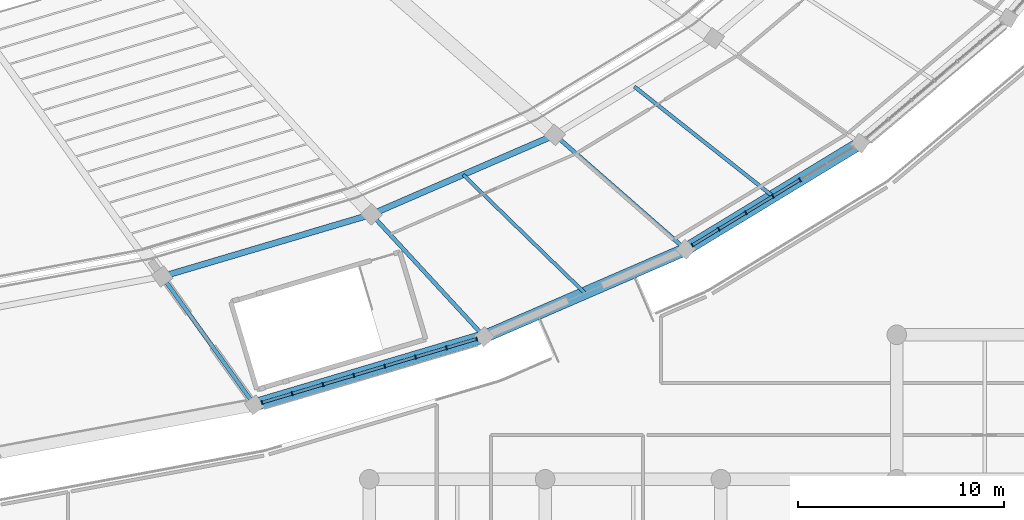
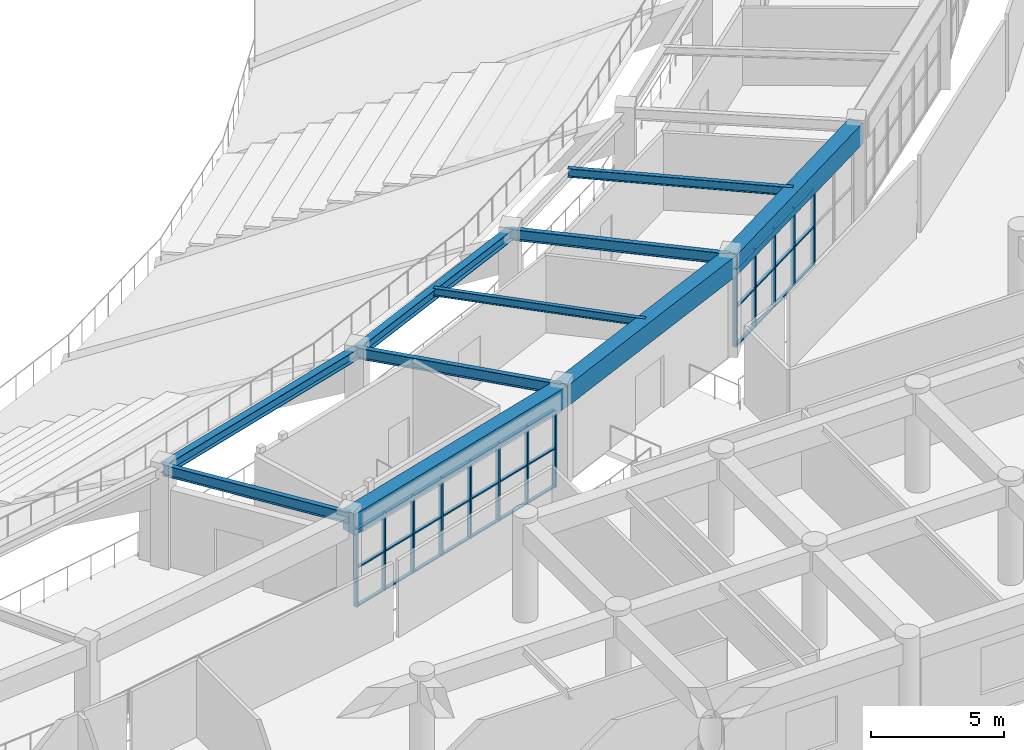
# One storey, part 35 of 137: 46 members, 10 beams, 2 elements without a shape of their own.
"""IFC4 building model written with IfcOpenShell, lengths in metres."""

from ifc_helpers import new_model, si_unit, direction, frame, origin, origin_2d, place, context, subcontext, project, spatial, rectangle, i_section, extrude, material, layer, layer_set, material_profile, profile_set, type_object, element, aggregate, save


model = new_model("IFC4")

# Units and contexts
model_context = context("Model", 3, precision=1e-05, world=origin(), true_north=direction((0.0, 1.0)))
body_context = subcontext(model_context, "Body", "Model", "MODEL_VIEW")
ifc_project = project(units=[si_unit("LENGTHUNIT", "METRE"), si_unit("AREAUNIT", "SQUARE_METRE"), si_unit("VOLUMEUNIT", "CUBIC_METRE"), si_unit("PLANEANGLEUNIT", "RADIAN"), si_unit("MASSUNIT", "GRAM", prefix="KILO")], contexts=[model_context])

# Site, building, storey
site_placement = place(None, origin())
site = spatial("IfcSite", under=ifc_project, at=site_placement, CompositionType="ELEMENT")
building_placement = place(site_placement, origin())
building = spatial("IfcBuilding", under=site, at=building_placement, Name="Mphavela Belvedere Stadium", CompositionType="ELEMENT")
storey_placement = place(building_placement, frame((0.0, 0.0, 19.199951171875)))
storey = spatial("IfcBuildingStorey", under=building, at=storey_placement, Name="L04", CompositionType="ELEMENT", Elevation=19.199951171875)

# Beams
ifc_material_1 = material(Name="Concrete C40/50", Category="concrete")
ifc_material_profile_1 = material_profile(ifc_material_1, rectangle(XDim=0.60009765625, YDim=0.949951171875, at=origin_2d()), Name="RC 600x950")
ifc_profile_set_1 = profile_set([ifc_material_profile_1], Name="Concrete C40/50")
beam_type_1 = type_object("IfcBeamType", Name="BM-ENTABLATURE-950", PredefinedType="SPANDREL", material=ifc_profile_set_1)
beam_1_placement = place(storey_placement, frame((164.80126953125, 17.60302734375, 4.074951171875), z_axis=(0.958656362639, 0.284566298727, 0.0), x_axis=(-0.284566298727, 0.958656362639, 0.0)))
element("IfcBeam", 1, at=beam_1_placement, inside=storey, type_object=beam_type_1, Name="Circumferential girder L04 R4-40", PredefinedType="SPANDREL", context=body_context, shape_type="SweptSolid", body=[
    extrude(rectangle(XDim=0.60009765625, YDim=0.949951171875, at=origin_2d()), origin(), (0.0, 0.0, 1.0), 11.616455078125),
])
beam_2_placement = place(storey_placement, frame((175.9375, 20.90869140625, 4.074951171875), z_axis=(0.91749867224, 0.397738842004, 0.0), x_axis=(-0.397738842004, 0.91749867224, 0.0)))
element("IfcBeam", 2, at=beam_2_placement, inside=storey, type_object=beam_type_1, Name="Circumferential girder L04 R4-41", PredefinedType="SPANDREL", context=body_context, shape_type="SweptSolid", body=[
    extrude(rectangle(XDim=0.60009765625, YDim=0.949951171875, at=origin_2d()), origin(), (0.0, 0.0, 1.0), 10.63623046875),
])
beam_3_placement = place(storey_placement, frame((185.6962890625, 25.13916015625, 4.074951171875), z_axis=(0.854326607994, 0.51973651678, 0.0), x_axis=(-0.51973651678, 0.854326607994, 0.0)))
element("IfcBeam", 3, at=beam_3_placement, inside=storey, type_object=beam_type_1, Name="Circumferential girder L04 R4-42", PredefinedType="SPANDREL", context=body_context, shape_type="SweptSolid", body=[
    extrude(rectangle(XDim=0.60009765625, YDim=0.949951171875, at=origin_2d()), origin(), (0.0, 0.0, 1.0), 9.901611328125),
])
ifc_material_2 = material(Name="Steel S355", Category="steel")
ifc_material_profile_2 = material_profile(ifc_material_2, i_section(OverallWidth=0.169921875, OverallDepth=0.360107421875, WebThickness=0.008056640625, FlangeThickness=0.0126953125, at=origin_2d()), Name="IPE 360")
ifc_profile_set_2 = profile_set([ifc_material_profile_2], Name="Steel S355")
beam_type_2 = type_object("IfcBeamType", Name="BM-JOIST-IPE360", PredefinedType="JOIST", material=ifc_profile_set_2)
beam_4_placement = place(storey_placement, frame((174.918212890625, 28.757568359375, 4.3701171875), z_axis=(0.717067022089, -0.697004222249, 0.0), x_axis=(0.697004222249, 0.717067022089, 0.0)))
element("IfcBeam", 4, at=beam_4_placement, inside=storey, type_object=beam_type_2, Name="Concourse floor joist L04-41", PredefinedType="JOIST", context=body_context, shape_type="SweptSolid", body=[
    extrude(i_section(OverallWidth=0.169921875, OverallDepth=0.360107421875, WebThickness=0.008056640625, FlangeThickness=0.0126953125, at=origin_2d()), origin(), (0.0, 0.0, 1.0), 8.22607421875),
])
ifc_material_3 = material(Name="Steel S355", Category="steel")
ifc_material_profile_3 = material_profile(ifc_material_3, i_section(OverallWidth=0.179931640625, OverallDepth=0.39990234375, WebThickness=0.008544921875, FlangeThickness=0.013427734375, at=origin_2d()), Name="IPE 400")
ifc_profile_set_3 = profile_set([ifc_material_profile_3], Name="Steel S355")
beam_type_3 = type_object("IfcBeamType", Name="BM-JOIST-IPE400", PredefinedType="JOIST", material=ifc_profile_set_3)
beam_5_placement = place(storey_placement, frame((183.210693359375, 33.02587890625, 4.35009765625), z_axis=(0.784195537739, -0.620513785979, 0.0), x_axis=(0.620513785979, 0.784195537739, 0.0)))
element("IfcBeam", 5, at=beam_5_placement, inside=storey, type_object=beam_type_3, Name="Concourse floor joist L04-42", PredefinedType="JOIST", context=body_context, shape_type="SweptSolid", body=[
    extrude(i_section(OverallWidth=0.179931640625, OverallDepth=0.39990234375, WebThickness=0.008544921875, FlangeThickness=0.013427734375, at=origin_2d()), origin(), (0.0, 0.0, 1.0), 8.56298828125),
])
ifc_material_4 = material(Name="Steel S355", Category="steel")
ifc_material_profile_4 = material_profile(ifc_material_4, i_section(OverallWidth=0.300048828125, OverallDepth=0.489990234375, WebThickness=0.011962890625, FlangeThickness=0.02294921875, at=origin_2d()), Name="HEA 500")
ifc_profile_set_4 = profile_set([ifc_material_profile_4], Name="Steel S355")
beam_type_4 = type_object("IfcBeamType", Name="BM-STEEL-HEA500", PredefinedType="BEAM", material=ifc_profile_set_4)
beam_6_placement = place(storey_placement, frame((160.337890625, 23.822509765625, 4.304931640625), z_axis=(0.958655230784, 0.284570111731, 0.0), x_axis=(-0.284570111731, 0.958655230784, 0.0)))
element("IfcBeam", 6, at=beam_6_placement, inside=storey, type_object=beam_type_4, Name="Circumferential girder L04 R3-40", PredefinedType="BEAM", context=body_context, shape_type="SweptSolid", body=[
    extrude(i_section(OverallWidth=0.300048828125, OverallDepth=0.489990234375, WebThickness=0.011962890625, FlangeThickness=0.02294921875, at=origin_2d()), origin(), (0.0, 0.0, 1.0), 10.57568359375),
])
beam_7_placement = place(storey_placement, frame((170.476318359375, 26.83203125, 4.304931640625), z_axis=(0.917501650019, 0.397731972832, 0.0), x_axis=(-0.397731972832, 0.917501650019, 0.0)))
element("IfcBeam", 7, at=beam_7_placement, inside=storey, type_object=beam_type_4, Name="Circumferential girder L04 R3-41", PredefinedType="BEAM", context=body_context, shape_type="SweptSolid", body=[
    extrude(i_section(OverallWidth=0.300048828125, OverallDepth=0.489990234375, WebThickness=0.011962890625, FlangeThickness=0.02294921875, at=origin_2d()), origin(), (0.0, 0.0, 1.0), 9.6826171875),
])
ifc_material_5 = material(Name="Steel S355", Category="steel")
ifc_material_profile_5 = material_profile(ifc_material_5, i_section(OverallWidth=0.199951171875, OverallDepth=0.5, WebThickness=0.01025390625, FlangeThickness=0.01611328125, at=origin_2d()), Name="IPE 500")
ifc_profile_set_5 = profile_set([ifc_material_profile_5], Name="Steel S355")
beam_type_5 = type_object("IfcBeamType", Name="BM-STEEL-IPE500", PredefinedType="BEAM", material=ifc_profile_set_5)
beam_8_placement = place(storey_placement, frame((160.337890625, 23.822509765625, 4.300048828125), z_axis=(0.583043812448, -0.812440713385, 0.0), x_axis=(0.812440713385, 0.583043812448, 0.0)))
element("IfcBeam", 8, at=beam_8_placement, inside=storey, type_object=beam_type_5, Name="Radial concourse girder L04 R3R4-40", PredefinedType="BEAM", context=body_context, shape_type="SweptSolid", body=[
    extrude(i_section(OverallWidth=0.199951171875, OverallDepth=0.5, WebThickness=0.01025390625, FlangeThickness=0.01611328125, at=origin_2d()), origin(), (0.0, 0.0, 1.0), 7.6552734375),
])
beam_9_placement = place(storey_placement, frame((170.476318359375, 26.83203125, 4.300048828125), z_axis=(0.67784325477, -0.735206448532, 0.0), x_axis=(0.735206448532, 0.67784325477, 0.0)))
element("IfcBeam", 9, at=beam_9_placement, inside=storey, type_object=beam_type_5, Name="Radial concourse girder L04 R3R4-41", PredefinedType="BEAM", context=body_context, shape_type="SweptSolid", body=[
    extrude(i_section(OverallWidth=0.199951171875, OverallDepth=0.5, WebThickness=0.01025390625, FlangeThickness=0.01611328125, at=origin_2d()), origin(), (0.0, 0.0, 1.0), 8.056640625),
])
beam_10_placement = place(storey_placement, frame((179.360107421875, 30.68310546875, 4.300048828125), z_axis=(0.752589268993, -0.658490236978, 0.0), x_axis=(0.658490236978, 0.752589268993, 0.0)))
element("IfcBeam", 10, at=beam_10_placement, inside=storey, type_object=beam_type_5, Name="Radial concourse girder L04 R3R4-42", PredefinedType="BEAM", context=body_context, shape_type="SweptSolid", body=[
    extrude(i_section(OverallWidth=0.199951171875, OverallDepth=0.5, WebThickness=0.01025390625, FlangeThickness=0.01611328125, at=origin_2d()), origin(), (0.0, 0.0, 1.0), 8.419189453125),
])

# Curtain wall, members
ifc_material_6 = material(Name="Anodised bronze unitised curtain wall framing")
ifc_layer_1 = layer(ifc_material_6, 0.195068359375)
ifc_layer_set_1 = layer_set([ifc_layer_1], Name="Anodised bronze unitised curtain wall framing")
curtain_wall_type_1 = type_object("IfcCurtainWallType", Name="CW-UNIT-04", PredefinedType="USERDEFINED", material=ifc_layer_set_1)
curtain_wall_1_placement = place(storey_placement, origin())
curtain_wall_1 = element("IfcCurtainWall", 11, at=curtain_wall_1_placement, inside=storey, type_object=curtain_wall_type_1, Name="Belvedere colonnade curtain wall L04-40", ObjectType="UNITISED CURTAIN WALL", PredefinedType="USERDEFINED")
ifc_material_7 = material(Name="Anodised bronze extruded aluminium", Category="aluminium")
ifc_material_profile_6 = material_profile(ifc_material_7, rectangle(XDim=0.179931640625, YDim=0.06494140625, at=origin_2d()), Name="CW-MUL 180x65")
ifc_profile_set_6 = profile_set([ifc_material_profile_6], Name="Anodised bronze extruded aluminium")
member_type_1 = type_object("IfcMemberType", Name="CWM-180x65", PredefinedType="MULLION", material=ifc_profile_set_6)
member_1_placement = place(storey_placement, frame((165.166015625, 17.71142578125, 0.0), z_axis=(0.0, 0.0, 1.0), x_axis=(-0.284560945489, 0.958657951671, 0.0)))
member_1 = element("IfcMember", 12, at=member_1_placement, type_object=member_type_1, Name="CW-04 mullion 1", PredefinedType="MULLION", context=body_context, shape_type="SweptSolid", body=[
    extrude(rectangle(XDim=0.179931640625, YDim=0.06494140625, at=origin_2d()), origin(), (0.0, 0.0, 1.0), 3.570068359375),
])
member_2_placement = place(storey_placement, frame((166.63037109375, 18.14599609375, 0.0), z_axis=(0.0, 0.0, 1.0), x_axis=(-0.284560945489, 0.958657951671, 0.0)))
member_2 = element("IfcMember", 13, at=member_2_placement, type_object=member_type_1, Name="CW-04 mullion 2", PredefinedType="MULLION", context=body_context, shape_type="SweptSolid", body=[
    extrude(rectangle(XDim=0.179931640625, YDim=0.06494140625, at=origin_2d()), origin(), (0.0, 0.0, 1.0), 3.570068359375),
])
member_3_placement = place(storey_placement, frame((168.1259765625, 18.590087890625, 0.0), z_axis=(0.0, 0.0, 1.0), x_axis=(-0.284560945489, 0.958657951671, 0.0)))
member_3 = element("IfcMember", 14, at=member_3_placement, type_object=member_type_1, Name="CW-04 mullion 3", PredefinedType="MULLION", context=body_context, shape_type="SweptSolid", body=[
    extrude(rectangle(XDim=0.179931640625, YDim=0.06494140625, at=origin_2d()), origin(), (0.0, 0.0, 1.0), 3.570068359375),
])
member_4_placement = place(storey_placement, frame((169.62158203125, 19.033935546875, 0.0), z_axis=(0.0, 0.0, 1.0), x_axis=(-0.284560945489, 0.958657951671, 0.0)))
member_4 = element("IfcMember", 15, at=member_4_placement, type_object=member_type_1, Name="CW-04 mullion 4", PredefinedType="MULLION", context=body_context, shape_type="SweptSolid", body=[
    extrude(rectangle(XDim=0.179931640625, YDim=0.06494140625, at=origin_2d()), origin(), (0.0, 0.0, 1.0), 3.570068359375),
])
member_5_placement = place(storey_placement, frame((171.1171875, 19.477783203125, 0.0), z_axis=(0.0, 0.0, 1.0), x_axis=(-0.284560945489, 0.958657951671, 0.0)))
member_5 = element("IfcMember", 16, at=member_5_placement, type_object=member_type_1, Name="CW-04 mullion 5", PredefinedType="MULLION", context=body_context, shape_type="SweptSolid", body=[
    extrude(rectangle(XDim=0.179931640625, YDim=0.06494140625, at=origin_2d()), origin(), (0.0, 0.0, 1.0), 3.570068359375),
])
member_6_placement = place(storey_placement, frame((172.61279296875, 19.921875, 0.0), z_axis=(0.0, 0.0, 1.0), x_axis=(-0.284560945489, 0.958657951671, 0.0)))
member_6 = element("IfcMember", 17, at=member_6_placement, type_object=member_type_1, Name="CW-04 mullion 6", PredefinedType="MULLION", context=body_context, shape_type="SweptSolid", body=[
    extrude(rectangle(XDim=0.179931640625, YDim=0.06494140625, at=origin_2d()), origin(), (0.0, 0.0, 1.0), 3.570068359375),
])
member_7_placement = place(storey_placement, frame((174.1083984375, 20.36572265625, 0.0), z_axis=(0.0, 0.0, 1.0), x_axis=(-0.284560945489, 0.958657951671, 0.0)))
member_7 = element("IfcMember", 18, at=member_7_placement, type_object=member_type_1, Name="CW-04 mullion 7", PredefinedType="MULLION", context=body_context, shape_type="SweptSolid", body=[
    extrude(rectangle(XDim=0.179931640625, YDim=0.06494140625, at=origin_2d()), origin(), (0.0, 0.0, 1.0), 3.570068359375),
])
member_8_placement = place(storey_placement, frame((175.57275390625, 20.800537109375, 0.0), z_axis=(0.0, 0.0, 1.0), x_axis=(-0.284560945489, 0.958657951671, 0.0)))
member_8 = element("IfcMember", 19, at=member_8_placement, type_object=member_type_1, Name="CW-04 mullion 8", PredefinedType="MULLION", context=body_context, shape_type="SweptSolid", body=[
    extrude(rectangle(XDim=0.179931640625, YDim=0.06494140625, at=origin_2d()), origin(), (0.0, 0.0, 1.0), 3.570068359375),
])

ifc_material_8 = material(Name="Anodised bronze unitised curtain wall framing")
ifc_layer_2 = layer(ifc_material_8, 0.199951171875)
ifc_layer_set_2 = layer_set([ifc_layer_2], Name="Anodised bronze unitised curtain wall framing")
curtain_wall_type_2 = type_object("IfcCurtainWallType", Name="CW-UNIT-05", PredefinedType="USERDEFINED", material=ifc_layer_set_2)
curtain_wall_2_placement = place(storey_placement, origin())
curtain_wall_2 = element("IfcCurtainWall", 20, at=curtain_wall_2_placement, inside=storey, type_object=curtain_wall_type_2, Name="Belvedere colonnade curtain wall L04-42", ObjectType="UNITISED CURTAIN WALL", PredefinedType="USERDEFINED")
member_9_placement = place(storey_placement, frame((186.021240234375, 25.3369140625, 0.0), z_axis=(0.0, 0.0, 1.0), x_axis=(-0.519735341101, 0.854327323226, 0.0)))
member_9 = element("IfcMember", 21, at=member_9_placement, type_object=member_type_1, Name="CW-05 mullion 1", PredefinedType="MULLION", context=body_context, shape_type="SweptSolid", body=[
    extrude(rectangle(XDim=0.179931640625, YDim=0.06494140625, at=origin_2d()), origin(), (0.0, 0.0, 1.0), 3.570068359375),
])
member_10_placement = place(storey_placement, frame((187.30419921875, 26.117431640625, 0.0), z_axis=(0.0, 0.0, 1.0), x_axis=(-0.519735341101, 0.854327323226, 0.0)))
member_10 = element("IfcMember", 22, at=member_10_placement, type_object=member_type_1, Name="CW-05 mullion 2", PredefinedType="MULLION", context=body_context, shape_type="SweptSolid", body=[
    extrude(rectangle(XDim=0.179931640625, YDim=0.06494140625, at=origin_2d()), origin(), (0.0, 0.0, 1.0), 3.570068359375),
])
member_11_placement = place(storey_placement, frame((188.614990234375, 26.914794921875, 0.0), z_axis=(0.0, 0.0, 1.0), x_axis=(-0.519735341101, 0.854327323226, 0.0)))
member_11 = element("IfcMember", 23, at=member_11_placement, type_object=member_type_1, Name="CW-05 mullion 3", PredefinedType="MULLION", context=body_context, shape_type="SweptSolid", body=[
    extrude(rectangle(XDim=0.179931640625, YDim=0.06494140625, at=origin_2d()), origin(), (0.0, 0.0, 1.0), 3.570068359375),
])
member_12_placement = place(storey_placement, frame((189.92578125, 27.71240234375, 0.0), z_axis=(0.0, 0.0, 1.0), x_axis=(-0.519735341101, 0.854327323226, 0.0)))
member_12 = element("IfcMember", 24, at=member_12_placement, type_object=member_type_1, Name="CW-05 mullion 4", PredefinedType="MULLION", context=body_context, shape_type="SweptSolid", body=[
    extrude(rectangle(XDim=0.179931640625, YDim=0.06494140625, at=origin_2d()), origin(), (0.0, 0.0, 1.0), 3.570068359375),
])
member_13_placement = place(storey_placement, frame((191.23681640625, 28.509765625, 0.0), z_axis=(0.0, 0.0, 1.0), x_axis=(-0.519735341101, 0.854327323226, 0.0)))
member_13 = element("IfcMember", 25, at=member_13_placement, type_object=member_type_1, Name="CW-05 mullion 5", PredefinedType="MULLION", context=body_context, shape_type="SweptSolid", body=[
    extrude(rectangle(XDim=0.179931640625, YDim=0.06494140625, at=origin_2d()), origin(), (0.0, 0.0, 1.0), 3.570068359375),
])

# Member
ifc_material_9 = material(Name="Anodised bronze extruded aluminium", Category="aluminium")
ifc_material_profile_7 = material_profile(ifc_material_9, rectangle(XDim=0.139892578125, YDim=0.06005859375, at=origin_2d()), Name="CW-TRN 140x60")
ifc_profile_set_7 = profile_set([ifc_material_profile_7], Name="Anodised bronze extruded aluminium")
member_type_2 = type_object("IfcMemberType", Name="CWT-140x60", PredefinedType="USERDEFINED", material=ifc_profile_set_7)
member_14_placement = place(storey_placement, frame((165.197021484375, 17.720703125, 0.030029296875), z_axis=(0.958703767899, 0.28440654953, 0.0), x_axis=(-0.28440654953, 0.958703767899, 0.0)))
member_14 = element("IfcMember", 26, at=member_14_placement, type_object=member_type_2, Name="CW-04 transom 1.1", ObjectType="TRANSOM", PredefinedType="USERDEFINED", context=body_context, shape_type="SweptSolid", body=[
    extrude(rectangle(XDim=0.139892578125, YDim=0.06005859375, at=origin_2d()), origin(), (0.0, 0.0, 1.0), 1.462646484375),
])

member_15_placement = place(storey_placement, frame((165.197021484375, 17.720703125, 1.78515625), z_axis=(0.958703767899, 0.28440654953, 0.0), x_axis=(-0.28440654953, 0.958703767899, 0.0)))
member_15 = element("IfcMember", 27, at=member_15_placement, type_object=member_type_2, Name="CW-04 transom 1.2", ObjectType="TRANSOM", PredefinedType="USERDEFINED", context=body_context, shape_type="SweptSolid", body=[
    extrude(rectangle(XDim=0.139892578125, YDim=0.06005859375, at=origin_2d()), origin(), (0.0, 0.0, 1.0), 1.462646484375),
])

member_16_placement = place(storey_placement, frame((165.197021484375, 17.720703125, 3.5400390625), z_axis=(0.958703767899, 0.28440654953, 0.0), x_axis=(-0.28440654953, 0.958703767899, 0.0)))
member_16 = element("IfcMember", 28, at=member_16_placement, type_object=member_type_2, Name="CW-04 transom 1.3", ObjectType="TRANSOM", PredefinedType="USERDEFINED", context=body_context, shape_type="SweptSolid", body=[
    extrude(rectangle(XDim=0.139892578125, YDim=0.06005859375, at=origin_2d()), origin(), (0.0, 0.0, 1.0), 1.462646484375),
])

member_17_placement = place(storey_placement, frame((166.66162109375, 18.1552734375, 0.030029296875), z_axis=(0.958631548823, 0.284649878977, 0.0), x_axis=(-0.284649878977, 0.958631548823, 0.0)))
member_17 = element("IfcMember", 29, at=member_17_placement, type_object=member_type_2, Name="CW-04 transom 2.1", ObjectType="TRANSOM", PredefinedType="USERDEFINED", context=body_context, shape_type="SweptSolid", body=[
    extrude(rectangle(XDim=0.139892578125, YDim=0.06005859375, at=origin_2d()), origin(), (0.0, 0.0, 1.0), 1.494873046875),
])

member_18_placement = place(storey_placement, frame((166.66162109375, 18.1552734375, 1.78515625), z_axis=(0.958631548823, 0.284649878977, 0.0), x_axis=(-0.284649878977, 0.958631548823, 0.0)))
member_18 = element("IfcMember", 30, at=member_18_placement, type_object=member_type_2, Name="CW-04 transom 2.2", ObjectType="TRANSOM", PredefinedType="USERDEFINED", context=body_context, shape_type="SweptSolid", body=[
    extrude(rectangle(XDim=0.139892578125, YDim=0.06005859375, at=origin_2d()), origin(), (0.0, 0.0, 1.0), 1.494873046875),
])

member_19_placement = place(storey_placement, frame((166.66162109375, 18.1552734375, 3.5400390625), z_axis=(0.958631548823, 0.284649878977, 0.0), x_axis=(-0.284649878977, 0.958631548823, 0.0)))
member_19 = element("IfcMember", 31, at=member_19_placement, type_object=member_type_2, Name="CW-04 transom 2.3", ObjectType="TRANSOM", PredefinedType="USERDEFINED", context=body_context, shape_type="SweptSolid", body=[
    extrude(rectangle(XDim=0.139892578125, YDim=0.06005859375, at=origin_2d()), origin(), (0.0, 0.0, 1.0), 1.494873046875),
])

member_20_placement = place(storey_placement, frame((168.1572265625, 18.59912109375, 0.030029296875), z_axis=(0.958631548823, 0.284649878977, 0.0), x_axis=(-0.284649878977, 0.958631548823, 0.0)))
member_20 = element("IfcMember", 32, at=member_20_placement, type_object=member_type_2, Name="CW-04 transom 3.1", ObjectType="TRANSOM", PredefinedType="USERDEFINED", context=body_context, shape_type="SweptSolid", body=[
    extrude(rectangle(XDim=0.139892578125, YDim=0.06005859375, at=origin_2d()), origin(), (0.0, 0.0, 1.0), 1.494873046875),
])

member_21_placement = place(storey_placement, frame((168.1572265625, 18.59912109375, 1.78515625), z_axis=(0.958631548823, 0.284649878977, 0.0), x_axis=(-0.284649878977, 0.958631548823, 0.0)))
member_21 = element("IfcMember", 33, at=member_21_placement, type_object=member_type_2, Name="CW-04 transom 3.2", ObjectType="TRANSOM", PredefinedType="USERDEFINED", context=body_context, shape_type="SweptSolid", body=[
    extrude(rectangle(XDim=0.139892578125, YDim=0.06005859375, at=origin_2d()), origin(), (0.0, 0.0, 1.0), 1.494873046875),
])

member_22_placement = place(storey_placement, frame((168.1572265625, 18.59912109375, 3.5400390625), z_axis=(0.958631548823, 0.284649878977, 0.0), x_axis=(-0.284649878977, 0.958631548823, 0.0)))
member_22 = element("IfcMember", 34, at=member_22_placement, type_object=member_type_2, Name="CW-04 transom 3.3", ObjectType="TRANSOM", PredefinedType="USERDEFINED", context=body_context, shape_type="SweptSolid", body=[
    extrude(rectangle(XDim=0.139892578125, YDim=0.06005859375, at=origin_2d()), origin(), (0.0, 0.0, 1.0), 1.494873046875),
])

member_23_placement = place(storey_placement, frame((169.65283203125, 19.043212890625, 0.030029296875), z_axis=(0.958676102342, 0.284499790508, 0.0), x_axis=(-0.284499790508, 0.958676102342, 0.0)))
member_23 = element("IfcMember", 35, at=member_23_placement, type_object=member_type_2, Name="CW-04 transom 4.1", ObjectType="TRANSOM", PredefinedType="USERDEFINED", context=body_context, shape_type="SweptSolid", body=[
    extrude(rectangle(XDim=0.139892578125, YDim=0.06005859375, at=origin_2d()), origin(), (0.0, 0.0, 1.0), 1.494873046875),
])

member_24_placement = place(storey_placement, frame((169.65283203125, 19.043212890625, 1.78515625), z_axis=(0.958676102342, 0.284499790508, 0.0), x_axis=(-0.284499790508, 0.958676102342, 0.0)))
member_24 = element("IfcMember", 36, at=member_24_placement, type_object=member_type_2, Name="CW-04 transom 4.2", ObjectType="TRANSOM", PredefinedType="USERDEFINED", context=body_context, shape_type="SweptSolid", body=[
    extrude(rectangle(XDim=0.139892578125, YDim=0.06005859375, at=origin_2d()), origin(), (0.0, 0.0, 1.0), 1.494873046875),
])

member_25_placement = place(storey_placement, frame((169.65283203125, 19.043212890625, 3.5400390625), z_axis=(0.958676102342, 0.284499790508, 0.0), x_axis=(-0.284499790508, 0.958676102342, 0.0)))
member_25 = element("IfcMember", 37, at=member_25_placement, type_object=member_type_2, Name="CW-04 transom 4.3", ObjectType="TRANSOM", PredefinedType="USERDEFINED", context=body_context, shape_type="SweptSolid", body=[
    extrude(rectangle(XDim=0.139892578125, YDim=0.06005859375, at=origin_2d()), origin(), (0.0, 0.0, 1.0), 1.494873046875),
])

member_26_placement = place(storey_placement, frame((171.1484375, 19.487060546875, 0.030029296875), z_axis=(0.958631548823, 0.284649878977, 0.0), x_axis=(-0.284649878977, 0.958631548823, 0.0)))
member_26 = element("IfcMember", 38, at=member_26_placement, type_object=member_type_2, Name="CW-04 transom 5.1", ObjectType="TRANSOM", PredefinedType="USERDEFINED", context=body_context, shape_type="SweptSolid", body=[
    extrude(rectangle(XDim=0.139892578125, YDim=0.06005859375, at=origin_2d()), origin(), (0.0, 0.0, 1.0), 1.494873046875),
])

member_27_placement = place(storey_placement, frame((171.1484375, 19.487060546875, 1.78515625), z_axis=(0.958631548823, 0.284649878977, 0.0), x_axis=(-0.284649878977, 0.958631548823, 0.0)))
member_27 = element("IfcMember", 39, at=member_27_placement, type_object=member_type_2, Name="CW-04 transom 5.2", ObjectType="TRANSOM", PredefinedType="USERDEFINED", context=body_context, shape_type="SweptSolid", body=[
    extrude(rectangle(XDim=0.139892578125, YDim=0.06005859375, at=origin_2d()), origin(), (0.0, 0.0, 1.0), 1.494873046875),
])

member_28_placement = place(storey_placement, frame((171.1484375, 19.487060546875, 3.5400390625), z_axis=(0.958631548823, 0.284649878977, 0.0), x_axis=(-0.284649878977, 0.958631548823, 0.0)))
member_28 = element("IfcMember", 40, at=member_28_placement, type_object=member_type_2, Name="CW-04 transom 5.3", ObjectType="TRANSOM", PredefinedType="USERDEFINED", context=body_context, shape_type="SweptSolid", body=[
    extrude(rectangle(XDim=0.139892578125, YDim=0.06005859375, at=origin_2d()), origin(), (0.0, 0.0, 1.0), 1.494873046875),
])

member_29_placement = place(storey_placement, frame((172.64404296875, 19.93115234375, 0.030029296875), z_axis=(0.958676102342, 0.284499790508, 0.0), x_axis=(-0.284499790508, 0.958676102342, 0.0)))
member_29 = element("IfcMember", 41, at=member_29_placement, type_object=member_type_2, Name="CW-04 transom 6.1", ObjectType="TRANSOM", PredefinedType="USERDEFINED", context=body_context, shape_type="SweptSolid", body=[
    extrude(rectangle(XDim=0.139892578125, YDim=0.06005859375, at=origin_2d()), origin(), (0.0, 0.0, 1.0), 1.494873046875),
])

member_30_placement = place(storey_placement, frame((172.64404296875, 19.93115234375, 1.78515625), z_axis=(0.958676102342, 0.284499790508, 0.0), x_axis=(-0.284499790508, 0.958676102342, 0.0)))
member_30 = element("IfcMember", 42, at=member_30_placement, type_object=member_type_2, Name="CW-04 transom 6.2", ObjectType="TRANSOM", PredefinedType="USERDEFINED", context=body_context, shape_type="SweptSolid", body=[
    extrude(rectangle(XDim=0.139892578125, YDim=0.06005859375, at=origin_2d()), origin(), (0.0, 0.0, 1.0), 1.494873046875),
])

member_31_placement = place(storey_placement, frame((172.64404296875, 19.93115234375, 3.5400390625), z_axis=(0.958676102342, 0.284499790508, 0.0), x_axis=(-0.284499790508, 0.958676102342, 0.0)))
member_31 = element("IfcMember", 43, at=member_31_placement, type_object=member_type_2, Name="CW-04 transom 6.3", ObjectType="TRANSOM", PredefinedType="USERDEFINED", context=body_context, shape_type="SweptSolid", body=[
    extrude(rectangle(XDim=0.139892578125, YDim=0.06005859375, at=origin_2d()), origin(), (0.0, 0.0, 1.0), 1.494873046875),
])

member_32_placement = place(storey_placement, frame((174.1396484375, 20.375, 0.030029296875), z_axis=(0.958644731481, 0.284605479223, 0.0), x_axis=(-0.284605479223, 0.958644731481, 0.0)))
member_32 = element("IfcMember", 44, at=member_32_placement, type_object=member_type_2, Name="CW-04 transom 7.1", ObjectType="TRANSOM", PredefinedType="USERDEFINED", context=body_context, shape_type="SweptSolid", body=[
    extrude(rectangle(XDim=0.139892578125, YDim=0.06005859375, at=origin_2d()), origin(), (0.0, 0.0, 1.0), 1.462646484375),
])

member_33_placement = place(storey_placement, frame((174.1396484375, 20.375, 1.78515625), z_axis=(0.958644731481, 0.284605479223, 0.0), x_axis=(-0.284605479223, 0.958644731481, 0.0)))
member_33 = element("IfcMember", 45, at=member_33_placement, type_object=member_type_2, Name="CW-04 transom 7.2", ObjectType="TRANSOM", PredefinedType="USERDEFINED", context=body_context, shape_type="SweptSolid", body=[
    extrude(rectangle(XDim=0.139892578125, YDim=0.06005859375, at=origin_2d()), origin(), (0.0, 0.0, 1.0), 1.462646484375),
])

member_34_placement = place(storey_placement, frame((174.1396484375, 20.375, 3.5400390625), z_axis=(0.958644731481, 0.284605479223, 0.0), x_axis=(-0.284605479223, 0.958644731481, 0.0)))
member_34 = element("IfcMember", 46, at=member_34_placement, type_object=member_type_2, Name="CW-04 transom 7.3", ObjectType="TRANSOM", PredefinedType="USERDEFINED", context=body_context, shape_type="SweptSolid", body=[
    extrude(rectangle(XDim=0.139892578125, YDim=0.06005859375, at=origin_2d()), origin(), (0.0, 0.0, 1.0), 1.462646484375),
])

aggregate(curtain_wall_1, [member_1, member_2, member_3, member_4, member_5, member_6, member_7, member_8, member_14, member_15, member_16, member_17, member_18, member_19, member_20, member_21, member_22, member_23, member_24, member_25, member_26, member_27, member_28, member_29, member_30, member_31, member_32, member_33, member_34])

member_35_placement = place(storey_placement, frame((186.049072265625, 25.353759765625, 0.030029296875), z_axis=(0.854313371297, 0.519758274224, 0.0), x_axis=(-0.519758274224, 0.854313371297, 0.0)))
member_35 = element("IfcMember", 47, at=member_35_placement, type_object=member_type_2, Name="CW-05 transom 1.1", ObjectType="TRANSOM", PredefinedType="USERDEFINED", context=body_context, shape_type="SweptSolid", body=[
    extrude(rectangle(XDim=0.139892578125, YDim=0.06005859375, at=origin_2d()), origin(), (0.0, 0.0, 1.0), 1.436767578125),
])

member_36_placement = place(storey_placement, frame((186.049072265625, 25.353759765625, 1.78515625), z_axis=(0.854313371297, 0.519758274224, 0.0), x_axis=(-0.519758274224, 0.854313371297, 0.0)))
member_36 = element("IfcMember", 48, at=member_36_placement, type_object=member_type_2, Name="CW-05 transom 1.2", ObjectType="TRANSOM", PredefinedType="USERDEFINED", context=body_context, shape_type="SweptSolid", body=[
    extrude(rectangle(XDim=0.139892578125, YDim=0.06005859375, at=origin_2d()), origin(), (0.0, 0.0, 1.0), 1.436767578125),
])

member_37_placement = place(storey_placement, frame((186.049072265625, 25.353759765625, 3.5400390625), z_axis=(0.854313371297, 0.519758274224, 0.0), x_axis=(-0.519758274224, 0.854313371297, 0.0)))
member_37 = element("IfcMember", 49, at=member_37_placement, type_object=member_type_2, Name="CW-05 transom 1.3", ObjectType="TRANSOM", PredefinedType="USERDEFINED", context=body_context, shape_type="SweptSolid", body=[
    extrude(rectangle(XDim=0.139892578125, YDim=0.06005859375, at=origin_2d()), origin(), (0.0, 0.0, 1.0), 1.436767578125),
])

member_38_placement = place(storey_placement, frame((187.33203125, 26.13427734375, 0.030029296875), z_axis=(0.854339693741, 0.519715006228, 0.0), x_axis=(-0.519715006228, 0.854339693741, 0.0)))
member_38 = element("IfcMember", 50, at=member_38_placement, type_object=member_type_2, Name="CW-05 transom 2.1", ObjectType="TRANSOM", PredefinedType="USERDEFINED", context=body_context, shape_type="SweptSolid", body=[
    extrude(rectangle(XDim=0.139892578125, YDim=0.06005859375, at=origin_2d()), origin(), (0.0, 0.0, 1.0), 1.469482421875),
])

member_39_placement = place(storey_placement, frame((187.33203125, 26.13427734375, 1.78515625), z_axis=(0.854339693741, 0.519715006228, 0.0), x_axis=(-0.519715006228, 0.854339693741, 0.0)))
member_39 = element("IfcMember", 51, at=member_39_placement, type_object=member_type_2, Name="CW-05 transom 2.2", ObjectType="TRANSOM", PredefinedType="USERDEFINED", context=body_context, shape_type="SweptSolid", body=[
    extrude(rectangle(XDim=0.139892578125, YDim=0.06005859375, at=origin_2d()), origin(), (0.0, 0.0, 1.0), 1.469482421875),
])

member_40_placement = place(storey_placement, frame((187.33203125, 26.13427734375, 3.5400390625), z_axis=(0.854339693741, 0.519715006228, 0.0), x_axis=(-0.519715006228, 0.854339693741, 0.0)))
member_40 = element("IfcMember", 52, at=member_40_placement, type_object=member_type_2, Name="CW-05 transom 2.3", ObjectType="TRANSOM", PredefinedType="USERDEFINED", context=body_context, shape_type="SweptSolid", body=[
    extrude(rectangle(XDim=0.139892578125, YDim=0.06005859375, at=origin_2d()), origin(), (0.0, 0.0, 1.0), 1.469482421875),
])

member_41_placement = place(storey_placement, frame((188.642822265625, 26.931640625, 0.030029296875), z_axis=(0.854339693741, 0.519715006228, 0.0), x_axis=(-0.519715006228, 0.854339693741, 0.0)))
member_41 = element("IfcMember", 53, at=member_41_placement, type_object=member_type_2, Name="CW-05 transom 3.1", ObjectType="TRANSOM", PredefinedType="USERDEFINED", context=body_context, shape_type="SweptSolid", body=[
    extrude(rectangle(XDim=0.139892578125, YDim=0.06005859375, at=origin_2d()), origin(), (0.0, 0.0, 1.0), 1.469482421875),
])

member_42_placement = place(storey_placement, frame((188.642822265625, 26.931640625, 1.78515625), z_axis=(0.854339693741, 0.519715006228, 0.0), x_axis=(-0.519715006228, 0.854339693741, 0.0)))
member_42 = element("IfcMember", 54, at=member_42_placement, type_object=member_type_2, Name="CW-05 transom 3.2", ObjectType="TRANSOM", PredefinedType="USERDEFINED", context=body_context, shape_type="SweptSolid", body=[
    extrude(rectangle(XDim=0.139892578125, YDim=0.06005859375, at=origin_2d()), origin(), (0.0, 0.0, 1.0), 1.469482421875),
])

member_43_placement = place(storey_placement, frame((188.642822265625, 26.931640625, 3.5400390625), z_axis=(0.854339693741, 0.519715006228, 0.0), x_axis=(-0.519715006228, 0.854339693741, 0.0)))
member_43 = element("IfcMember", 55, at=member_43_placement, type_object=member_type_2, Name="CW-05 transom 3.3", ObjectType="TRANSOM", PredefinedType="USERDEFINED", context=body_context, shape_type="SweptSolid", body=[
    extrude(rectangle(XDim=0.139892578125, YDim=0.06005859375, at=origin_2d()), origin(), (0.0, 0.0, 1.0), 1.469482421875),
])

member_44_placement = place(storey_placement, frame((189.95361328125, 27.729248046875, 0.030029296875), z_axis=(0.854339693741, 0.519715006228, 0.0), x_axis=(-0.519715006228, 0.854339693741, 0.0)))
member_44 = element("IfcMember", 56, at=member_44_placement, type_object=member_type_2, Name="CW-05 transom 4.1", ObjectType="TRANSOM", PredefinedType="USERDEFINED", context=body_context, shape_type="SweptSolid", body=[
    extrude(rectangle(XDim=0.139892578125, YDim=0.06005859375, at=origin_2d()), origin(), (0.0, 0.0, 1.0), 1.469482421875),
])

member_45_placement = place(storey_placement, frame((189.95361328125, 27.729248046875, 1.78515625), z_axis=(0.854339693741, 0.519715006228, 0.0), x_axis=(-0.519715006228, 0.854339693741, 0.0)))
member_45 = element("IfcMember", 57, at=member_45_placement, type_object=member_type_2, Name="CW-05 transom 4.2", ObjectType="TRANSOM", PredefinedType="USERDEFINED", context=body_context, shape_type="SweptSolid", body=[
    extrude(rectangle(XDim=0.139892578125, YDim=0.06005859375, at=origin_2d()), origin(), (0.0, 0.0, 1.0), 1.469482421875),
])

member_46_placement = place(storey_placement, frame((189.95361328125, 27.729248046875, 3.5400390625), z_axis=(0.854339693741, 0.519715006228, 0.0), x_axis=(-0.519715006228, 0.854339693741, 0.0)))
member_46 = element("IfcMember", 58, at=member_46_placement, type_object=member_type_2, Name="CW-05 transom 4.3", ObjectType="TRANSOM", PredefinedType="USERDEFINED", context=body_context, shape_type="SweptSolid", body=[
    extrude(rectangle(XDim=0.139892578125, YDim=0.06005859375, at=origin_2d()), origin(), (0.0, 0.0, 1.0), 1.469482421875),
])

aggregate(curtain_wall_2, [member_9, member_10, member_11, member_12, member_13, member_35, member_36, member_37, member_38, member_39, member_40, member_41, member_42, member_43, member_44, member_45, member_46])

save(model, "model.ifc")
